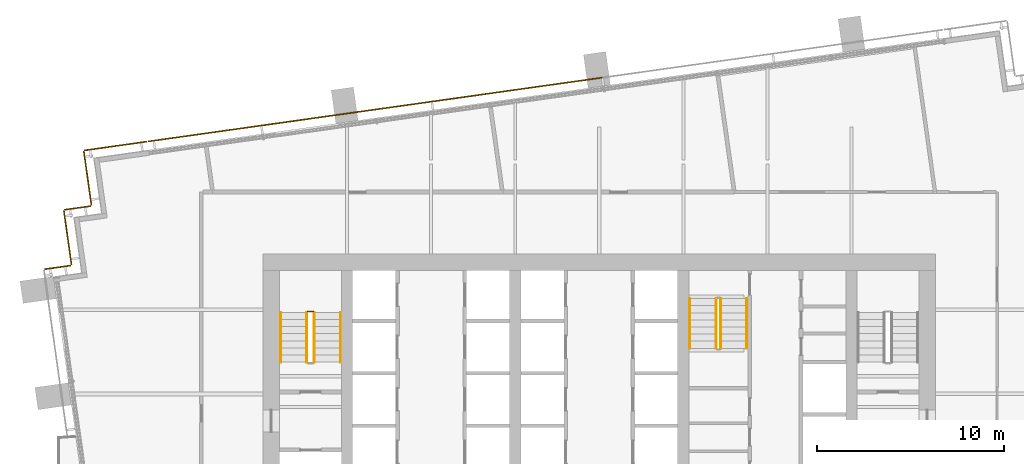
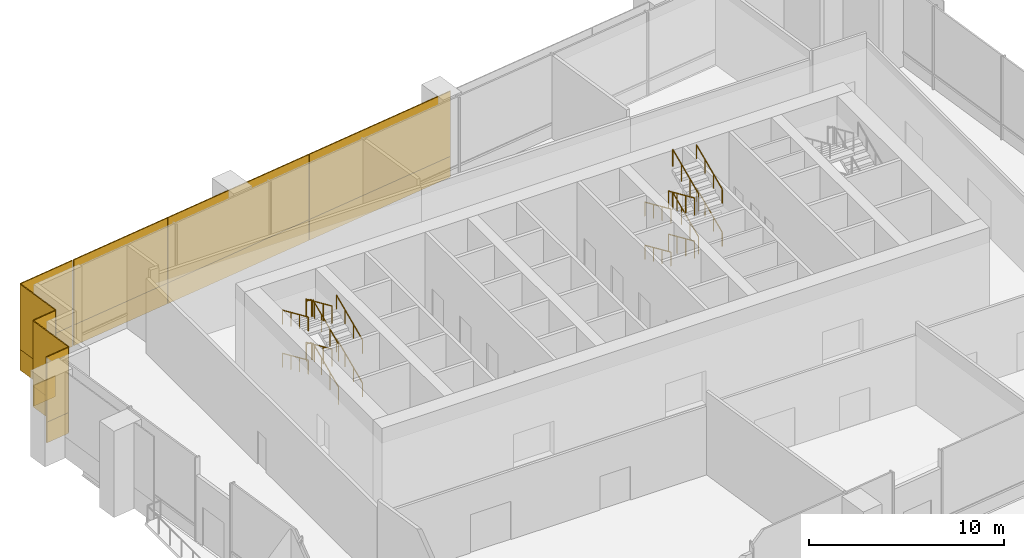
# One storey, part 16 of 17: 18 railings, 16 coverings.
"""IFC4 building model written with IfcOpenShell, lengths in metres."""

from ifc_helpers import new_model, si_unit, direction, frame, origin, origin_2d, place, context, subcontext, project, spatial, rectangle, extrude, material, layer, layer_set, type_object, element, save


model = new_model("IFC4")

# Units and contexts
model_context = context("Model", 3, precision=1e-05, world=origin(), true_north=direction((0.0, 1.0)))
body_context = subcontext(model_context, "Body", "Model", "MODEL_VIEW")
ifc_project = project(units=[si_unit("LENGTHUNIT", "METRE"), si_unit("AREAUNIT", "SQUARE_METRE"), si_unit("VOLUMEUNIT", "CUBIC_METRE"), si_unit("PLANEANGLEUNIT", "RADIAN"), si_unit("MASSUNIT", "GRAM", prefix="KILO")], contexts=[model_context])

# Site, building, storey
site_placement = place(None, origin())
site = spatial("IfcSite", under=ifc_project, at=site_placement, CompositionType="ELEMENT")
building_placement = place(site_placement, origin())
building = spatial("IfcBuilding", under=site, at=building_placement, Name="Rattan Terrace Tower", CompositionType="ELEMENT")
storey_placement = place(building_placement, frame((0.0, 0.0, 163.10009765625)))
storey = spatial("IfcBuildingStorey", under=building, at=storey_placement, Name="L37", CompositionType="ELEMENT", Elevation=163.10009765625)

# Railings
ifc_material_1 = material(Name="Powder-coated steel guard", Category="steel")
railing_type_1 = type_object("IfcRailingType", Name="Core stair guard", PredefinedType="GUARDRAIL", material=ifc_material_1)
railing_1_placement = place(storey_placement, frame((-15.25, 1.699951171875, 0.168701171875)))
element("IfcRailing", 1, at=railing_1_placement, inside=storey, type_object=railing_type_1, Name="L37 S1 stair guard 1", PredefinedType="GUARDRAIL", context=body_context, shape_type="SweptSolid", body=[
    extrude(rectangle(XDim=0.048095703125, YDim=0.048095703125, at=origin_2d()), frame((0.0, 0.0, 1.076171875), z_axis=(0.0, 0.913956766905, 0.405811567391), x_axis=(-1.0, 0.0, 0.0)), (0.0, 0.0, 1.0), 2.91064453125),
    extrude(rectangle(XDim=0.0419921875, YDim=0.0419921875, at=origin_2d()), origin(), (0.0, 0.0, 1.0), 1.052001953125),
    extrude(rectangle(XDim=0.0419921875, YDim=0.0419921875, at=origin_2d()), frame((0.0, 0.88671875, 0.393798828125)), (0.0, 0.0, 1.0), 1.052001953125),
    extrude(rectangle(XDim=0.0419921875, YDim=0.0419921875, at=origin_2d()), frame((0.0, 1.7734375, 0.787353515625)), (0.0, 0.0, 1.0), 1.052001953125),
    extrude(rectangle(XDim=0.0419921875, YDim=0.0419921875, at=origin_2d()), frame((0.0, 2.66015625, 1.18115234375)), (0.0, 0.0, 1.0), 1.052001953125),
])
railing_2_placement = place(storey_placement, frame((-15.300048828125, 4.409912109375, 1.349853515625)))
element("IfcRailing", 2, at=railing_2_placement, inside=storey, type_object=railing_type_1, Name="L37 S1 stair guard 2", PredefinedType="GUARDRAIL", context=body_context, shape_type="SweptSolid", body=[
    extrude(rectangle(XDim=0.048095703125, YDim=0.048095703125, at=origin_2d()), frame((0.0, 0.0, 1.076171875), z_axis=(-1.0, 0.0, 0.0), x_axis=(0.0, -1.0, 0.0)), (0.0, 0.0, 1.0), 0.300048828125),
    extrude(rectangle(XDim=0.0419921875, YDim=0.0419921875, at=origin_2d()), origin(), (0.0, 0.0, 1.0), 1.052001953125),
    extrude(rectangle(XDim=0.0419921875, YDim=0.0419921875, at=origin_2d()), frame((-0.300048828125, 0.0, 0.0)), (0.0, 0.0, 1.0), 1.052001953125),
])
railing_3_placement = place(storey_placement, frame((-15.64990234375, 4.360107421875, 1.5185546875)))
element("IfcRailing", 3, at=railing_3_placement, inside=storey, type_object=railing_type_1, Name="L37 S1 stair guard 3", PredefinedType="GUARDRAIL", context=body_context, shape_type="SweptSolid", body=[
    extrude(rectangle(XDim=0.048095703125, YDim=0.048095703125, at=origin_2d()), frame((0.0, 0.0, 1.076171875), z_axis=(0.0, -0.913925654661, 0.405881630223), x_axis=(1.0, 0.0, 0.0)), (0.0, 0.0, 1.0), 2.91064453125),
    extrude(rectangle(XDim=0.0419921875, YDim=0.0419921875, at=origin_2d()), origin(), (0.0, 0.0, 1.0), 1.052001953125),
    extrude(rectangle(XDim=0.0419921875, YDim=0.0419921875, at=origin_2d()), frame((0.0, -0.88671875, 0.393798828125)), (0.0, 0.0, 1.0), 1.052001953125),
    extrude(rectangle(XDim=0.0419921875, YDim=0.0419921875, at=origin_2d()), frame((0.0, -1.7734375, 0.78759765625)), (0.0, 0.0, 1.0), 1.052001953125),
    extrude(rectangle(XDim=0.0419921875, YDim=0.0419921875, at=origin_2d()), frame((0.0, -2.66015625, 1.181396484375)), (0.0, 0.0, 1.0), 1.052001953125),
])
railing_4_placement = place(storey_placement, frame((-15.25, 1.699951171875, 2.86865234375)))
element("IfcRailing", 4, at=railing_4_placement, inside=storey, type_object=railing_type_1, Name="L37 S1 stair guard 5", PredefinedType="GUARDRAIL", context=body_context, shape_type="SweptSolid", body=[
    extrude(rectangle(XDim=0.048095703125, YDim=0.048095703125, at=origin_2d()), frame((0.0, 0.0, 1.076171875), z_axis=(0.0, 0.913956766905, 0.405811567391), x_axis=(-1.0, 0.0, 0.0)), (0.0, 0.0, 1.0), 2.91064453125),
    extrude(rectangle(XDim=0.0419921875, YDim=0.0419921875, at=origin_2d()), origin(), (0.0, 0.0, 1.0), 1.052001953125),
    extrude(rectangle(XDim=0.0419921875, YDim=0.0419921875, at=origin_2d()), frame((0.0, 0.88671875, 0.393798828125)), (0.0, 0.0, 1.0), 1.052001953125),
    extrude(rectangle(XDim=0.0419921875, YDim=0.0419921875, at=origin_2d()), frame((0.0, 1.7734375, 0.787353515625)), (0.0, 0.0, 1.0), 1.052001953125),
    extrude(rectangle(XDim=0.0419921875, YDim=0.0419921875, at=origin_2d()), frame((0.0, 2.66015625, 1.18115234375)), (0.0, 0.0, 1.0), 1.052001953125),
])
railing_5_placement = place(storey_placement, frame((-15.300048828125, 4.409912109375, 4.0498046875)))
element("IfcRailing", 5, at=railing_5_placement, inside=storey, type_object=railing_type_1, Name="L37 S1 stair guard 6", PredefinedType="GUARDRAIL", context=body_context, shape_type="SweptSolid", body=[
    extrude(rectangle(XDim=0.048095703125, YDim=0.048095703125, at=origin_2d()), frame((0.0, 0.0, 1.076171875), z_axis=(-1.0, 0.0, 0.0), x_axis=(0.0, -1.0, 0.0)), (0.0, 0.0, 1.0), 0.300048828125),
    extrude(rectangle(XDim=0.0419921875, YDim=0.0419921875, at=origin_2d()), origin(), (0.0, 0.0, 1.0), 1.052001953125),
    extrude(rectangle(XDim=0.0419921875, YDim=0.0419921875, at=origin_2d()), frame((-0.300048828125, 0.0, 0.0)), (0.0, 0.0, 1.0), 1.052001953125),
])
for number, where, name in (
    (6, (-15.64990234375, 4.360107421875, 4.21875), "L37 S1 stair guard 7"),
    (7, (6.25, 5.10009765625, 0.168701171875), "L37 S3 stair guard 1"),
):
    element("IfcRailing", number, at=place(storey_placement, frame(where)), inside=storey, type_object=railing_type_1, Name=name, PredefinedType="GUARDRAIL", context=body_context, shape_type="SweptSolid", body=[
        extrude(rectangle(XDim=0.048095703125, YDim=0.048095703125, at=origin_2d()), frame((0.0, 0.0, 1.076171875), z_axis=(0.0, -0.913956766905, 0.405811567391), x_axis=(1.0, 0.0, 0.0)), (0.0, 0.0, 1.0), 2.91064453125),
        extrude(rectangle(XDim=0.0419921875, YDim=0.0419921875, at=origin_2d()), origin(), (0.0, 0.0, 1.0), 1.052001953125),
        extrude(rectangle(XDim=0.0419921875, YDim=0.0419921875, at=origin_2d()), frame((0.0, -0.88671875, 0.393798828125)), (0.0, 0.0, 1.0), 1.052001953125),
        extrude(rectangle(XDim=0.0419921875, YDim=0.0419921875, at=origin_2d()), frame((0.0, -1.7734375, 0.787353515625)), (0.0, 0.0, 1.0), 1.052001953125),
        extrude(rectangle(XDim=0.0419921875, YDim=0.0419921875, at=origin_2d()), frame((0.0, -2.66015625, 1.18115234375)), (0.0, 0.0, 1.0), 1.052001953125),
    ])
railing_6_placement = place(storey_placement, frame((6.5, 2.43994140625, 1.5185546875)))
element("IfcRailing", 8, at=railing_6_placement, inside=storey, type_object=railing_type_1, Name="L37 S3 stair guard 3", PredefinedType="GUARDRAIL", context=body_context, shape_type="SweptSolid", body=[
    extrude(rectangle(XDim=0.048095703125, YDim=0.048095703125, at=origin_2d()), frame((0.0, 0.0, 1.076171875), z_axis=(0.0, 0.913925654661, 0.405881630223), x_axis=(-1.0, 0.0, 0.0)), (0.0, 0.0, 1.0), 2.91064453125),
    extrude(rectangle(XDim=0.0419921875, YDim=0.0419921875, at=origin_2d()), origin(), (0.0, 0.0, 1.0), 1.052001953125),
    extrude(rectangle(XDim=0.0419921875, YDim=0.0419921875, at=origin_2d()), frame((0.0, 0.88671875, 0.393798828125)), (0.0, 0.0, 1.0), 1.052001953125),
    extrude(rectangle(XDim=0.0419921875, YDim=0.0419921875, at=origin_2d()), frame((0.0, 1.7734375, 0.78759765625)), (0.0, 0.0, 1.0), 1.052001953125),
    extrude(rectangle(XDim=0.0419921875, YDim=0.0419921875, at=origin_2d()), frame((0.0, 2.66015625, 1.181396484375)), (0.0, 0.0, 1.0), 1.052001953125),
])
railing_7_placement = place(storey_placement, frame((6.25, 5.10009765625, 2.86865234375)))
element("IfcRailing", 9, at=railing_7_placement, inside=storey, type_object=railing_type_1, Name="L37 S3 stair guard 5", PredefinedType="GUARDRAIL", context=body_context, shape_type="SweptSolid", body=[
    extrude(rectangle(XDim=0.048095703125, YDim=0.048095703125, at=origin_2d()), frame((0.0, 0.0, 1.076171875), z_axis=(0.0, -0.913956766905, 0.405811567391), x_axis=(1.0, 0.0, 0.0)), (0.0, 0.0, 1.0), 2.91064453125),
    extrude(rectangle(XDim=0.0419921875, YDim=0.0419921875, at=origin_2d()), origin(), (0.0, 0.0, 1.0), 1.052001953125),
    extrude(rectangle(XDim=0.0419921875, YDim=0.0419921875, at=origin_2d()), frame((0.0, -0.88671875, 0.393798828125)), (0.0, 0.0, 1.0), 1.052001953125),
    extrude(rectangle(XDim=0.0419921875, YDim=0.0419921875, at=origin_2d()), frame((0.0, -1.7734375, 0.787353515625)), (0.0, 0.0, 1.0), 1.052001953125),
    extrude(rectangle(XDim=0.0419921875, YDim=0.0419921875, at=origin_2d()), frame((0.0, -2.66015625, 1.18115234375)), (0.0, 0.0, 1.0), 1.052001953125),
])
railing_8_placement = place(storey_placement, frame((6.5, 2.43994140625, 4.21875)))
element("IfcRailing", 10, at=railing_8_placement, inside=storey, type_object=railing_type_1, Name="L37 S3 stair guard 7", PredefinedType="GUARDRAIL", context=body_context, shape_type="SweptSolid", body=[
    extrude(rectangle(XDim=0.048095703125, YDim=0.048095703125, at=origin_2d()), frame((0.0, 0.0, 1.076171875), z_axis=(0.0, 0.913956766905, 0.405811567391), x_axis=(-1.0, 0.0, 0.0)), (0.0, 0.0, 1.0), 2.91064453125),
    extrude(rectangle(XDim=0.0419921875, YDim=0.0419921875, at=origin_2d()), origin(), (0.0, 0.0, 1.0), 1.052001953125),
    extrude(rectangle(XDim=0.0419921875, YDim=0.0419921875, at=origin_2d()), frame((0.0, 0.88671875, 0.393798828125)), (0.0, 0.0, 1.0), 1.052001953125),
    extrude(rectangle(XDim=0.0419921875, YDim=0.0419921875, at=origin_2d()), frame((0.0, 1.7734375, 0.787353515625)), (0.0, 0.0, 1.0), 1.052001953125),
    extrude(rectangle(XDim=0.0419921875, YDim=0.0419921875, at=origin_2d()), frame((0.0, 2.66015625, 1.18115234375)), (0.0, 0.0, 1.0), 1.052001953125),
])
ifc_material_2 = material(Name="Powder-coated steel handrail", Category="steel")
railing_type_2 = type_object("IfcRailingType", Name="Core stair handrail", PredefinedType="HANDRAIL", material=ifc_material_2)
railing_9_placement = place(storey_placement, frame((-13.85009765625, 1.699951171875, 0.168701171875)))
element("IfcRailing", 11, at=railing_9_placement, inside=storey, type_object=railing_type_2, Name="L37 S1 stair handrail 1", PredefinedType="HANDRAIL", context=body_context, shape_type="SweptSolid", body=[
    extrude(rectangle(XDim=0.048095703125, YDim=0.048095703125, at=origin_2d()), frame((0.0, 0.0, 0.8759765625), z_axis=(0.0, 0.913956766905, 0.405811567391), x_axis=(-1.0, 0.0, 0.0)), (0.0, 0.0, 1.0), 2.91064453125),
    extrude(rectangle(XDim=0.0419921875, YDim=0.0419921875, at=origin_2d()), origin(), (0.0, 0.0, 1.0), 0.851806640625),
    extrude(rectangle(XDim=0.0419921875, YDim=0.0419921875, at=origin_2d()), frame((0.0, 0.88671875, 0.393798828125)), (0.0, 0.0, 1.0), 0.851806640625),
    extrude(rectangle(XDim=0.0419921875, YDim=0.0419921875, at=origin_2d()), frame((0.0, 1.7734375, 0.787353515625)), (0.0, 0.0, 1.0), 0.851806640625),
    extrude(rectangle(XDim=0.0419921875, YDim=0.0419921875, at=origin_2d()), frame((0.0, 2.66015625, 1.18115234375)), (0.0, 0.0, 1.0), 0.851806640625),
])
railing_10_placement = place(storey_placement, frame((-17.050048828125, 4.360107421875, 1.5185546875)))
element("IfcRailing", 12, at=railing_10_placement, inside=storey, type_object=railing_type_2, Name="L37 S1 stair handrail 2", PredefinedType="HANDRAIL", context=body_context, shape_type="SweptSolid", body=[
    extrude(rectangle(XDim=0.048095703125, YDim=0.048095703125, at=origin_2d()), frame((0.0, 0.0, 0.8759765625), z_axis=(0.0, -0.913925654661, 0.405881630223), x_axis=(1.0, 0.0, 0.0)), (0.0, 0.0, 1.0), 2.91064453125),
    extrude(rectangle(XDim=0.0419921875, YDim=0.0419921875, at=origin_2d()), origin(), (0.0, 0.0, 1.0), 0.851806640625),
    extrude(rectangle(XDim=0.0419921875, YDim=0.0419921875, at=origin_2d()), frame((0.0, -0.88671875, 0.393798828125)), (0.0, 0.0, 1.0), 0.851806640625),
    extrude(rectangle(XDim=0.0419921875, YDim=0.0419921875, at=origin_2d()), frame((0.0, -1.7734375, 0.78759765625)), (0.0, 0.0, 1.0), 0.851806640625),
    extrude(rectangle(XDim=0.0419921875, YDim=0.0419921875, at=origin_2d()), frame((0.0, -2.66015625, 1.181396484375)), (0.0, 0.0, 1.0), 0.851806640625),
])
railing_11_placement = place(storey_placement, frame((-13.85009765625, 1.699951171875, 2.86865234375)))
element("IfcRailing", 13, at=railing_11_placement, inside=storey, type_object=railing_type_2, Name="L37 S1 stair handrail 3", PredefinedType="HANDRAIL", context=body_context, shape_type="SweptSolid", body=[
    extrude(rectangle(XDim=0.048095703125, YDim=0.048095703125, at=origin_2d()), frame((0.0, 0.0, 0.8759765625), z_axis=(0.0, 0.913956766905, 0.405811567391), x_axis=(-1.0, 0.0, 0.0)), (0.0, 0.0, 1.0), 2.91064453125),
    extrude(rectangle(XDim=0.0419921875, YDim=0.0419921875, at=origin_2d()), origin(), (0.0, 0.0, 1.0), 0.851806640625),
    extrude(rectangle(XDim=0.0419921875, YDim=0.0419921875, at=origin_2d()), frame((0.0, 0.88671875, 0.393798828125)), (0.0, 0.0, 1.0), 0.851806640625),
    extrude(rectangle(XDim=0.0419921875, YDim=0.0419921875, at=origin_2d()), frame((0.0, 1.7734375, 0.787353515625)), (0.0, 0.0, 1.0), 0.851806640625),
    extrude(rectangle(XDim=0.0419921875, YDim=0.0419921875, at=origin_2d()), frame((0.0, 2.66015625, 1.18115234375)), (0.0, 0.0, 1.0), 0.851806640625),
])
for number, where, name in (
    (14, (-17.050048828125, 4.360107421875, 4.21875), "L37 S1 stair handrail 4"),
    (15, (4.85009765625, 5.10009765625, 0.168701171875), "L37 S3 stair handrail 1"),
):
    element("IfcRailing", number, at=place(storey_placement, frame(where)), inside=storey, type_object=railing_type_2, Name=name, PredefinedType="HANDRAIL", context=body_context, shape_type="SweptSolid", body=[
        extrude(rectangle(XDim=0.048095703125, YDim=0.048095703125, at=origin_2d()), frame((0.0, 0.0, 0.8759765625), z_axis=(0.0, -0.913956766905, 0.405811567391), x_axis=(1.0, 0.0, 0.0)), (0.0, 0.0, 1.0), 2.91064453125),
        extrude(rectangle(XDim=0.0419921875, YDim=0.0419921875, at=origin_2d()), origin(), (0.0, 0.0, 1.0), 0.851806640625),
        extrude(rectangle(XDim=0.0419921875, YDim=0.0419921875, at=origin_2d()), frame((0.0, -0.88671875, 0.393798828125)), (0.0, 0.0, 1.0), 0.851806640625),
        extrude(rectangle(XDim=0.0419921875, YDim=0.0419921875, at=origin_2d()), frame((0.0, -1.7734375, 0.787353515625)), (0.0, 0.0, 1.0), 0.851806640625),
        extrude(rectangle(XDim=0.0419921875, YDim=0.0419921875, at=origin_2d()), frame((0.0, -2.66015625, 1.18115234375)), (0.0, 0.0, 1.0), 0.851806640625),
    ])
railing_12_placement = place(storey_placement, frame((7.89990234375, 2.43994140625, 1.5185546875)))
element("IfcRailing", 16, at=railing_12_placement, inside=storey, type_object=railing_type_2, Name="L37 S3 stair handrail 2", PredefinedType="HANDRAIL", context=body_context, shape_type="SweptSolid", body=[
    extrude(rectangle(XDim=0.048095703125, YDim=0.048095703125, at=origin_2d()), frame((0.0, 0.0, 0.8759765625), z_axis=(0.0, 0.913925654661, 0.405881630223), x_axis=(-1.0, 0.0, 0.0)), (0.0, 0.0, 1.0), 2.91064453125),
    extrude(rectangle(XDim=0.0419921875, YDim=0.0419921875, at=origin_2d()), origin(), (0.0, 0.0, 1.0), 0.851806640625),
    extrude(rectangle(XDim=0.0419921875, YDim=0.0419921875, at=origin_2d()), frame((0.0, 0.88671875, 0.393798828125)), (0.0, 0.0, 1.0), 0.851806640625),
    extrude(rectangle(XDim=0.0419921875, YDim=0.0419921875, at=origin_2d()), frame((0.0, 1.7734375, 0.78759765625)), (0.0, 0.0, 1.0), 0.851806640625),
    extrude(rectangle(XDim=0.0419921875, YDim=0.0419921875, at=origin_2d()), frame((0.0, 2.66015625, 1.181396484375)), (0.0, 0.0, 1.0), 0.851806640625),
])
railing_13_placement = place(storey_placement, frame((4.85009765625, 5.10009765625, 2.86865234375)))
element("IfcRailing", 17, at=railing_13_placement, inside=storey, type_object=railing_type_2, Name="L37 S3 stair handrail 3", PredefinedType="HANDRAIL", context=body_context, shape_type="SweptSolid", body=[
    extrude(rectangle(XDim=0.048095703125, YDim=0.048095703125, at=origin_2d()), frame((0.0, 0.0, 0.8759765625), z_axis=(0.0, -0.913956766905, 0.405811567391), x_axis=(1.0, 0.0, 0.0)), (0.0, 0.0, 1.0), 2.91064453125),
    extrude(rectangle(XDim=0.0419921875, YDim=0.0419921875, at=origin_2d()), origin(), (0.0, 0.0, 1.0), 0.851806640625),
    extrude(rectangle(XDim=0.0419921875, YDim=0.0419921875, at=origin_2d()), frame((0.0, -0.88671875, 0.393798828125)), (0.0, 0.0, 1.0), 0.851806640625),
    extrude(rectangle(XDim=0.0419921875, YDim=0.0419921875, at=origin_2d()), frame((0.0, -1.7734375, 0.787353515625)), (0.0, 0.0, 1.0), 0.851806640625),
    extrude(rectangle(XDim=0.0419921875, YDim=0.0419921875, at=origin_2d()), frame((0.0, -2.66015625, 1.18115234375)), (0.0, 0.0, 1.0), 0.851806640625),
])
railing_14_placement = place(storey_placement, frame((7.89990234375, 2.43994140625, 4.21875)))
element("IfcRailing", 18, at=railing_14_placement, inside=storey, type_object=railing_type_2, Name="L37 S3 stair handrail 4", PredefinedType="HANDRAIL", context=body_context, shape_type="SweptSolid", body=[
    extrude(rectangle(XDim=0.048095703125, YDim=0.048095703125, at=origin_2d()), frame((0.0, 0.0, 0.8759765625), z_axis=(0.0, 0.913956766905, 0.405811567391), x_axis=(-1.0, 0.0, 0.0)), (0.0, 0.0, 1.0), 2.91064453125),
    extrude(rectangle(XDim=0.0419921875, YDim=0.0419921875, at=origin_2d()), origin(), (0.0, 0.0, 1.0), 0.851806640625),
    extrude(rectangle(XDim=0.0419921875, YDim=0.0419921875, at=origin_2d()), frame((0.0, 0.88671875, 0.393798828125)), (0.0, 0.0, 1.0), 0.851806640625),
    extrude(rectangle(XDim=0.0419921875, YDim=0.0419921875, at=origin_2d()), frame((0.0, 1.7734375, 0.787353515625)), (0.0, 0.0, 1.0), 0.851806640625),
    extrude(rectangle(XDim=0.0419921875, YDim=0.0419921875, at=origin_2d()), frame((0.0, 2.66015625, 1.18115234375)), (0.0, 0.0, 1.0), 0.851806640625),
])

# Coverings
ifc_material_3 = material(Name="Solid terracotta", Category="masonry")
ifc_layer_1 = layer(ifc_material_3, 0.06005859375)
ifc_layer_set_1 = layer_set([ifc_layer_1], Name="Facade Terracotta Band Panel")
covering_type_1 = type_object("IfcCoveringType", Name="Facade Terracotta Band Panel", PredefinedType="CLADDING", material=ifc_layer_set_1)
for number, where, z_axis, x_axis, name in (
    (19, (-4.39794921875, 16.285400390625, -0.18994140625), (0.0, 0.0, 1.0), (-0.990269702686, -0.139161474347, 0.0), "OUTER SKIN panel L37-11A"),
    (20, (-13.521484375, 15.003173828125, -0.18994140625), (0.0, 0.0, 1.0), (-0.990269702686, -0.139161474347, 0.0), "OUTER SKIN panel L37-12A"),
):
    element("IfcCovering", number, at=place(storey_placement, frame(where, z_axis=z_axis, x_axis=x_axis)), inside=storey, type_object=covering_type_1, Name=name, PredefinedType="CLADDING", context=body_context, shape_type="SweptSolid", body=[
        extrude(rectangle(XDim=9.193115234375, YDim=0.06005859375, at=origin_2d()), origin(), (0.0, 0.0, 1.0), 1.300048828125),
    ])
covering_1_placement = place(storey_placement, frame((-21.112548828125, 13.9365234375, -0.18994140625), z_axis=(0.0, 0.0, 1.0), x_axis=(-0.990269702686, -0.139161474347, 0.0)))
element("IfcCovering", 21, at=covering_1_placement, inside=storey, type_object=covering_type_1, Name="OUTER SKIN panel L37-13A", PredefinedType="CLADDING", context=body_context, shape_type="SweptSolid", body=[
    extrude(rectangle(XDim=6.098388671875, YDim=0.06005859375, at=origin_2d()), origin(), (0.0, 0.0, 1.0), 1.300048828125),
])
covering_2_placement = place(storey_placement, frame((-25.8798828125, 13.266357421875, -0.18994140625), z_axis=(0.0, 0.0, 1.0), x_axis=(-0.990247240581, -0.139321220646, 0.0)))
element("IfcCovering", 22, at=covering_2_placement, inside=storey, type_object=covering_type_1, Name="OUTER SKIN panel L37-14A", PredefinedType="CLADDING", context=body_context, shape_type="SweptSolid", body=[
    extrude(rectangle(XDim=3.370361328125, YDim=0.06005859375, at=origin_2d()), origin(), (0.0, 0.0, 1.0), 1.300048828125),
])
covering_3_placement = place(storey_placement, frame((-27.37939453125, 11.54052734375, -0.18994140625), z_axis=(0.0, 0.0, 1.0), x_axis=(0.139321220646, -0.990247240581, 0.0)))
element("IfcCovering", 23, at=covering_3_placement, inside=storey, type_object=covering_type_1, Name="OUTER SKIN panel L37-15A", PredefinedType="CLADDING", context=body_context, shape_type="SweptSolid", body=[
    extrude(rectangle(XDim=2.919921875, YDim=0.06005859375, at=origin_2d()), origin(), (0.0, 0.0, 1.0), 1.300048828125),
])
covering_4_placement = place(storey_placement, frame((-27.913330078125, 9.951171875, -0.18994140625), z_axis=(0.0, 0.0, 1.0), x_axis=(-0.990345406709, -0.138621698915, 0.0)))
element("IfcCovering", 24, at=covering_4_placement, inside=storey, type_object=covering_type_1, Name="OUTER SKIN panel L37-16A", PredefinedType="CLADDING", context=body_context, shape_type="SweptSolid", body=[
    extrude(rectangle(XDim=1.42041015625, YDim=0.06005859375, at=origin_2d()), origin(), (0.0, 0.0, 1.0), 1.300048828125),
])
covering_5_placement = place(storey_placement, frame((-28.447265625, 8.361572265625, -0.18994140625), z_axis=(0.0, 0.0, 1.0), x_axis=(0.139321220646, -0.990247240581, 0.0)))
element("IfcCovering", 25, at=covering_5_placement, inside=storey, type_object=covering_type_1, Name="OUTER SKIN panel L37-17A", PredefinedType="CLADDING", context=body_context, shape_type="SweptSolid", body=[
    extrude(rectangle(XDim=2.920654296875, YDim=0.06005859375, at=origin_2d()), origin(), (0.0, 0.0, 1.0), 1.300048828125),
])
covering_6_placement = place(storey_placement, frame((-28.981201171875, 6.771484375, -0.18994140625), z_axis=(0.0, 0.0, 1.0), x_axis=(-0.99025370695, -0.139275252184, 0.0)))
element("IfcCovering", 26, at=covering_6_placement, inside=storey, type_object=covering_type_1, Name="OUTER SKIN panel L37-18A", PredefinedType="CLADDING", context=body_context, shape_type="SweptSolid", body=[
    extrude(rectangle(XDim=1.420654296875, YDim=0.06005859375, at=origin_2d()), origin(), (0.0, 0.0, 1.0), 1.300048828125),
])
ifc_material_4 = material(Name="Perforated terracotta", Category="masonry")
ifc_layer_2 = layer(ifc_material_4, 0.06005859375)
ifc_layer_set_2 = layer_set([ifc_layer_2], Name="Facade Terracotta Screen Panel")
covering_type_2 = type_object("IfcCoveringType", Name="Facade Terracotta Screen Panel", PredefinedType="CLADDING", material=ifc_layer_set_2)
for number, where, z_axis, x_axis, name in (
    (27, (-4.39794921875, 16.285400390625, 1.10986328125), (0.0, 0.0, 1.0), (-0.990269702686, -0.139161474347, 0.0), "OUTER SKIN panel L37-11B"),
    (28, (-13.521484375, 15.003173828125, 1.10986328125), (0.0, 0.0, 1.0), (-0.990269702686, -0.139161474347, 0.0), "OUTER SKIN panel L37-12B"),
):
    element("IfcCovering", number, at=place(storey_placement, frame(where, z_axis=z_axis, x_axis=x_axis)), inside=storey, type_object=covering_type_2, Name=name, PredefinedType="CLADDING", context=body_context, shape_type="SweptSolid", body=[
        extrude(rectangle(XDim=9.193115234375, YDim=0.06005859375, at=origin_2d()), origin(), (0.0, 0.0, 1.0), 4.080078125),
    ])
covering_7_placement = place(storey_placement, frame((-21.112548828125, 13.9365234375, 1.10986328125), z_axis=(0.0, 0.0, 1.0), x_axis=(-0.990269702686, -0.139161474347, 0.0)))
element("IfcCovering", 29, at=covering_7_placement, inside=storey, type_object=covering_type_2, Name="OUTER SKIN panel L37-13B", PredefinedType="CLADDING", context=body_context, shape_type="SweptSolid", body=[
    extrude(rectangle(XDim=6.098388671875, YDim=0.06005859375, at=origin_2d()), origin(), (0.0, 0.0, 1.0), 4.080078125),
])
covering_8_placement = place(storey_placement, frame((-25.8798828125, 13.266357421875, 1.10986328125), z_axis=(0.0, 0.0, 1.0), x_axis=(-0.990247240581, -0.139321220646, 0.0)))
element("IfcCovering", 30, at=covering_8_placement, inside=storey, type_object=covering_type_2, Name="OUTER SKIN panel L37-14B", PredefinedType="CLADDING", context=body_context, shape_type="SweptSolid", body=[
    extrude(rectangle(XDim=3.370361328125, YDim=0.06005859375, at=origin_2d()), origin(), (0.0, 0.0, 1.0), 4.080078125),
])
covering_9_placement = place(storey_placement, frame((-27.37939453125, 11.54052734375, 1.10986328125), z_axis=(0.0, 0.0, 1.0), x_axis=(0.139321220646, -0.990247240581, 0.0)))
element("IfcCovering", 31, at=covering_9_placement, inside=storey, type_object=covering_type_2, Name="OUTER SKIN panel L37-15B", PredefinedType="CLADDING", context=body_context, shape_type="SweptSolid", body=[
    extrude(rectangle(XDim=2.919921875, YDim=0.06005859375, at=origin_2d()), origin(), (0.0, 0.0, 1.0), 4.080078125),
])
covering_10_placement = place(storey_placement, frame((-27.913330078125, 9.951171875, 1.10986328125), z_axis=(0.0, 0.0, 1.0), x_axis=(-0.990345406709, -0.138621698915, 0.0)))
element("IfcCovering", 32, at=covering_10_placement, inside=storey, type_object=covering_type_2, Name="OUTER SKIN panel L37-16B", PredefinedType="CLADDING", context=body_context, shape_type="SweptSolid", body=[
    extrude(rectangle(XDim=1.42041015625, YDim=0.06005859375, at=origin_2d()), origin(), (0.0, 0.0, 1.0), 4.080078125),
])
covering_11_placement = place(storey_placement, frame((-28.447265625, 8.361572265625, 1.10986328125), z_axis=(0.0, 0.0, 1.0), x_axis=(0.139321220646, -0.990247240581, 0.0)))
element("IfcCovering", 33, at=covering_11_placement, inside=storey, type_object=covering_type_2, Name="OUTER SKIN panel L37-17B", PredefinedType="CLADDING", context=body_context, shape_type="SweptSolid", body=[
    extrude(rectangle(XDim=2.920654296875, YDim=0.06005859375, at=origin_2d()), origin(), (0.0, 0.0, 1.0), 4.080078125),
])
covering_12_placement = place(storey_placement, frame((-28.981201171875, 6.771484375, 1.10986328125), z_axis=(0.0, 0.0, 1.0), x_axis=(-0.99025370695, -0.139275252184, 0.0)))
element("IfcCovering", 34, at=covering_12_placement, inside=storey, type_object=covering_type_2, Name="OUTER SKIN panel L37-18B", PredefinedType="CLADDING", context=body_context, shape_type="SweptSolid", body=[
    extrude(rectangle(XDim=1.420654296875, YDim=0.06005859375, at=origin_2d()), origin(), (0.0, 0.0, 1.0), 4.080078125),
])

save(model, "model.ifc")
